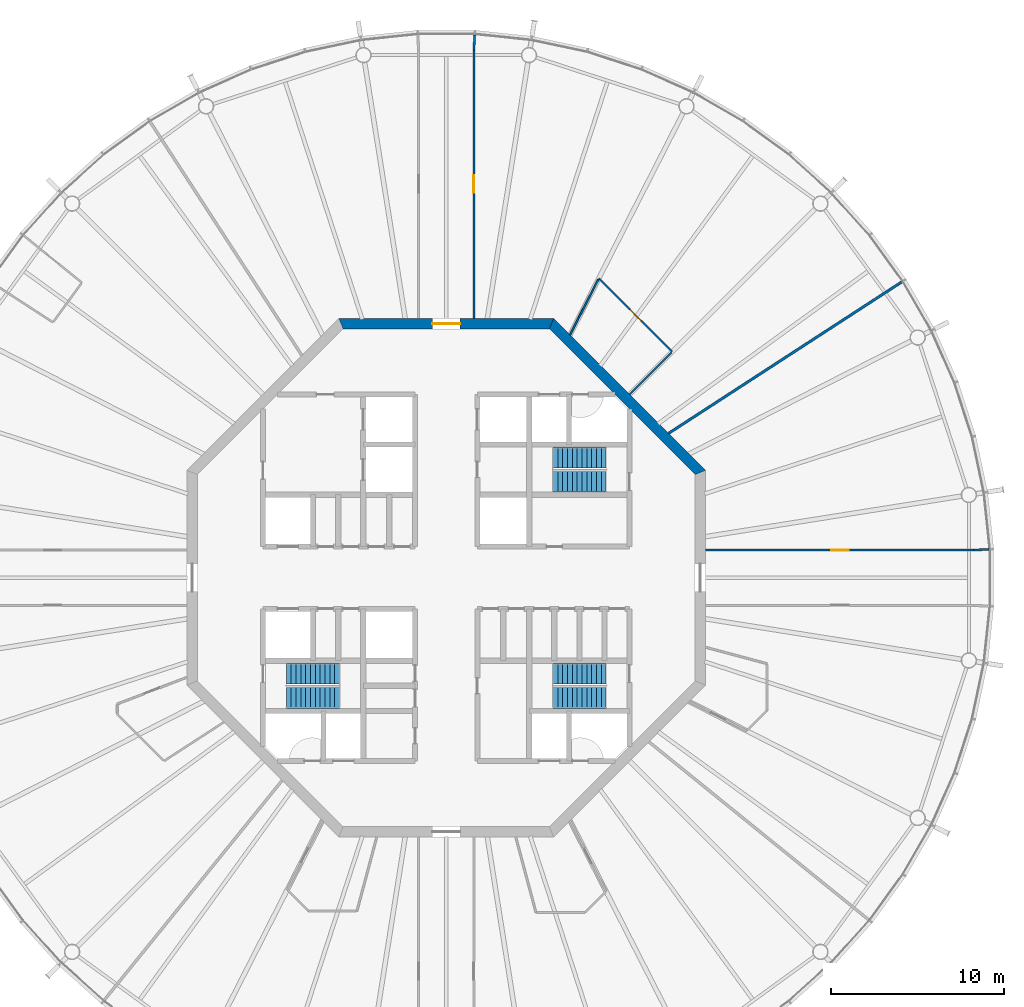
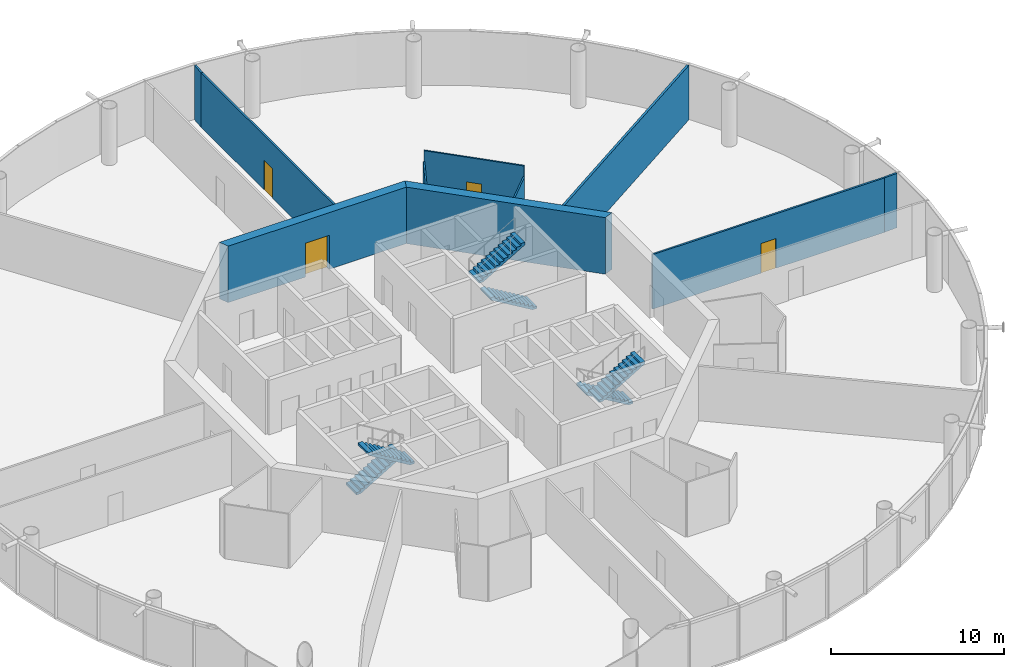
# One storey, part 6 of 19: 10 walls, 6 stair flights, 4 doors, 4 openings, 3 elements without a shape of their own.
"""IFC4 building model written with IfcOpenShell, lengths in metres."""

import ifcopenshell
import ifcopenshell.guid

model = None  # the IFC model being written
_history = None  # IfcOwnerHistory: only IFC2X3 demands one
_inside = {}  # id of a spatial element -> (the spatial element, [elements in it])
_under = {}  # id of a project, library or spatial element -> (it, [spatial elements below it])
_declared = {}  # id of a project -> (the project, [libraries it declares])
_typed = {}  # id of a type object -> (the type object, [elements of that type])
_made_of = {}  # id of a material, layer set ... -> (it, [elements and type objects made of it])


def new_model(schema):
    """Start an empty IFC model of exactly this schema.

    Asked for "IFC4X3", IfcOpenShell would pick the latest addendum, in which some entities
    have other attributes; the version numbers below select the first issue.
    IFC2X3 requires an IfcOwnerHistory on every rooted entity: one is made here for all.
    """
    global model, _history
    if schema == "IFC4X3":
        model = ifcopenshell.file(schema_version=(4, 3, 0, 0))
    else:
        model = ifcopenshell.file(schema=schema)
    _inside.clear()
    _under.clear()
    _declared.clear()
    _typed.clear()
    _made_of.clear()
    _history = None
    if model.schema == "IFC2X3":
        org = make("IfcOrganization", Name="unknown")
        user = make(
            "IfcPersonAndOrganization",
            ThePerson=make("IfcPerson", FamilyName="unknown"),
            TheOrganization=org,
        )
        app = make(
            "IfcApplication",
            ApplicationDeveloper=org,
            Version="unknown",
            ApplicationFullName="unknown",
            ApplicationIdentifier="unknown",
        )
        _history = make(
            "IfcOwnerHistory",
            OwningUser=user,
            OwningApplication=app,
            ChangeAction="ADDED",
            CreationDate=0,
        )
    return model


def make(cls, **values):
    """One entity of the class cls with the attributes given. An attribute that is None is left unset."""
    return model.create_entity(
        cls, **{name: value for name, value in values.items() if value is not None}
    )


def rooted(cls, **values):
    """An entity with a GlobalId (a new one), such as an element, a storey or a relation."""
    return make(cls, GlobalId=ifcopenshell.guid.new(), OwnerHistory=_history, **values)


def si_unit(unit_type, name, prefix=None):
    """IfcSIUnit, for example si_unit("LENGTHUNIT", "METRE", prefix="MILLI")."""
    return make("IfcSIUnit", UnitType=unit_type, Prefix=prefix, Name=name)


def assignment(units):
    """IfcUnitAssignment: the units of a project."""
    return None if units is None else make("IfcUnitAssignment", Units=units)


def point(xyz):
    """IfcCartesianPoint."""
    return None if xyz is None else make("IfcCartesianPoint", Coordinates=xyz)


def direction(xyz):
    """IfcDirection."""
    return None if xyz is None else make("IfcDirection", DirectionRatios=xyz)


def frame(location, z_axis=None, x_axis=None):
    """IfcAxis2Placement3D, a coordinate frame: its origin and axes. An axis left out is left unset."""
    return make(
        "IfcAxis2Placement3D",
        Location=point(location),
        Axis=direction(z_axis),
        RefDirection=direction(x_axis),
    )


def frame_2d(location, x_axis=None):
    """IfcAxis2Placement2D, a coordinate frame in the plane: its origin and x axis."""
    return make(
        "IfcAxis2Placement2D", Location=point(location), RefDirection=direction(x_axis)
    )


def origin():
    """The frame at (0, 0, 0) with its axes left unset."""
    return frame((0.0, 0.0, 0.0))


def place(relative_to, where):
    """IfcLocalPlacement: puts the frame where relative to a parent placement (None: the world)."""
    return make(
        "IfcLocalPlacement", PlacementRelTo=relative_to, RelativePlacement=where
    )


def context(
    kind, dimensions, precision=None, world=None, true_north=None, identifier=None
):
    """IfcGeometricRepresentationContext, for example the 3D "Model" context."""
    return make(
        "IfcGeometricRepresentationContext",
        ContextIdentifier=identifier,
        ContextType=kind,
        CoordinateSpaceDimension=dimensions,
        Precision=precision,
        WorldCoordinateSystem=world,
        TrueNorth=true_north,
    )


def subcontext(parent, identifier, kind, view, scale=None):
    """IfcGeometricRepresentationSubContext, for example "Body" below "Model"."""
    return make(
        "IfcGeometricRepresentationSubContext",
        ContextIdentifier=identifier,
        ContextType=kind,
        ParentContext=parent,
        TargetScale=scale,
        TargetView=view,
    )


def project(units=None, contexts=None):
    """IfcProject with its units and contexts."""
    return rooted(
        "IfcProject",
        Name="project",
        RepresentationContexts=contexts,
        UnitsInContext=assignment(units),
    )


def spatial(cls, under=None, at=None, **own):
    """A site, building, storey or space (cls), placed at a placement, below another one or the project."""
    s = rooted(cls, ObjectPlacement=at, **own)
    if under is not None:
        _under.setdefault(under.id(), (under, []))[1].append(s)
    return s


def polyline(points):
    """IfcPolyline through the points."""
    return make("IfcPolyline", Points=[point(p) for p in points])


def profile(cls, at=None, kind="AREA", **sizes):
    """A parametric profile (cls). Its sizes go by their IFC names, for example OverallWidth=200.0."""
    return make(cls, ProfileType=kind, Position=at, **sizes)


def rectangle(**sizes):
    """IfcRectangleProfileDef."""
    return profile("IfcRectangleProfileDef", **sizes)


def outline(outer, holes=None, kind="AREA"):
    """IfcArbitraryClosedProfileDef: a profile drawn as a closed curve; with holes, ...WithVoids."""
    if holes is None:
        return make("IfcArbitraryClosedProfileDef", ProfileType=kind, OuterCurve=outer)
    return make(
        "IfcArbitraryProfileDefWithVoids",
        ProfileType=kind,
        OuterCurve=outer,
        InnerCurves=holes,
    )


def extrude(swept, where, along, depth):
    """IfcExtrudedAreaSolid: the profile swept, set in the frame where, extruded along a direction by depth."""
    return make(
        "IfcExtrudedAreaSolid",
        SweptArea=swept,
        Position=where,
        ExtrudedDirection=direction(along),
        Depth=depth,
    )


def shape(context_of_items, identifier, shape_type, items):
    """IfcShapeRepresentation: the items that make up one representation, for example the "Body"."""
    return make(
        "IfcShapeRepresentation",
        ContextOfItems=context_of_items,
        RepresentationIdentifier=identifier,
        RepresentationType=shape_type,
        Items=items,
    )


def material(Name=None, Category=None):
    """IfcMaterial."""
    return make("IfcMaterial", Name=Name, Category=Category)


def layer(
    of_material, thickness, ventilated=None, Name=None, Category=None, Priority=None
):
    """IfcMaterialLayer: one layer of a wall or slab, of a material (None: an air gap)."""
    return make(
        "IfcMaterialLayer",
        Material=of_material,
        LayerThickness=thickness,
        IsVentilated=ventilated,
        Name=Name,
        Category=Category,
        Priority=Priority,
    )


def layer_set(layers, Name=None):
    """IfcMaterialLayerSet."""
    return make("IfcMaterialLayerSet", MaterialLayers=layers, LayerSetName=Name)


def made_of(thing, what):
    """Note that an element or type object is made of a material, layer set ...; save() writes the relation."""
    if what is not None:
        _made_of.setdefault(what.id(), (what, []))[1].append(thing)
    return thing


def type_object(cls, material=None, **own):
    """A type object (cls), such as IfcWallType, which elements share."""
    return made_of(rooted(cls, **own), material)


def element(
    cls,
    number,
    at=None,
    inside=None,
    cuts=None,
    type_object=None,
    material=None,
    context=None,
    identifier="Body",
    shape_type=None,
    held_by="IfcProductDefinitionShape",
    body=None,
    shapes=None,
    **own,
):
    """One element of the class cls, such as IfcWall. Its Tag is "e" and its number.

    at: its placement. inside: the storey or other place that contains it. cuts: it is an
    opening in that element (IfcRelVoidsElement). A single representation is given by context,
    identifier, shape_type and body (its items); several are given by shapes. held_by: the class
    of the entity that holds the representations. save() writes the other relations.
    """
    e = rooted(cls, Tag="e%d" % number, ObjectPlacement=at, **own)
    if body is not None:
        shapes = [shape(context, identifier, shape_type, body)]
    if shapes is not None:
        e.Representation = make(held_by, Representations=shapes)
    if inside is not None:
        _inside.setdefault(inside.id(), (inside, []))[1].append(e)
    if cuts is not None:
        rooted(
            "IfcRelVoidsElement", RelatingBuildingElement=cuts, RelatedOpeningElement=e
        )
    if type_object is not None:
        _typed.setdefault(type_object.id(), (type_object, []))[1].append(e)
    return made_of(e, material)


def fill(opening, filler):
    """IfcRelFillsElement: the door or window that sits in an opening."""
    return rooted(
        "IfcRelFillsElement",
        RelatingOpeningElement=opening,
        RelatedBuildingElement=filler,
    )


def aggregate(whole, parts):
    """IfcRelAggregates: a whole, such as a stair, and the parts it consists of."""
    return rooted("IfcRelAggregates", RelatingObject=whole, RelatedObjects=parts)


def save(model, path):
    """Write the relations noted so far, then the file.

    IfcRelAggregates (storeys below a building ...), IfcRelContainedInSpatialStructure (elements
    in a storey), IfcRelDefinesByType, IfcRelAssociatesMaterial and IfcRelDeclares: one each for
    every whole, place, type object, material and project.
    """
    for whole, parts in _under.values():
        aggregate(whole, parts)
    for where, things in _inside.values():
        rooted(
            "IfcRelContainedInSpatialStructure",
            RelatedElements=things,
            RelatingStructure=where,
        )
    for kind, things in _typed.values():
        rooted("IfcRelDefinesByType", RelatedObjects=things, RelatingType=kind)
    for what, things in _made_of.values():
        rooted("IfcRelAssociatesMaterial", RelatedObjects=things, RelatingMaterial=what)
    for by, libraries in _declared.values():
        rooted("IfcRelDeclares", RelatingContext=by, RelatedDefinitions=libraries)
    model.write(path)


model = new_model("IFC4")

# Units and contexts
model_context = context("Model", 3, precision=1e-05, world=origin(), true_north=direction((0.0, 1.0)))
body_context = subcontext(model_context, "Body", "Model", "MODEL_VIEW")
ifc_project = project(units=[si_unit("LENGTHUNIT", "METRE"), si_unit("AREAUNIT", "SQUARE_METRE"), si_unit("VOLUMEUNIT", "CUBIC_METRE"), si_unit("PLANEANGLEUNIT", "RADIAN"), si_unit("MASSUNIT", "GRAM", prefix="KILO")], contexts=[model_context])

# Site, building, storey
site_placement = place(None, origin())
site = spatial("IfcSite", under=ifc_project, at=site_placement, CompositionType="ELEMENT")
building_placement = place(site_placement, origin())
building = spatial("IfcBuilding", under=site, at=building_placement, Name="Entoto Ring Tower", CompositionType="ELEMENT")
storey_placement = place(building_placement, frame((0.0, 0.0, 368.0)))
storey = spatial("IfcBuildingStorey", under=building, at=storey_placement, Name="L85", CompositionType="ELEMENT", Elevation=368.0)

# Wall
ifc_material_1 = material(Name="Concrete C40/50", Category="concrete")
ifc_layer_1 = layer(ifc_material_1, 0.60009765625)
ifc_layer_set_1 = layer_set([ifc_layer_1], Name="Concrete C40/50")
wall_type_1 = type_object("IfcWallType", Name="Core shear wall 600 mm reinforced concrete C40/50", PredefinedType="SHEAR", material=ifc_layer_set_1)
wall_1_placement = place(storey_placement, frame((104.699951171875, 86.0888671875, 0.0), z_axis=(0.0, 0.0, 1.0), x_axis=(-0.707106781187, 0.707106781187, 0.0)))
element("IfcWall", 1, at=wall_1_placement, inside=storey, type_object=wall_type_1, Name="wall-L85-core-1", PredefinedType="SHEAR", context=body_context, shape_type="SweptSolid", body=[
    extrude(outline(polyline([(-0.124267578125, -0.300048828125), (12.30224609375, -0.300048828125), (12.0537109375, 0.300048828125), (0.124267578125, 0.300048828125), (-0.124267578125, -0.300048828125)])), origin(), (0.0, 0.0, 1.0), 4.0),
])

# Wall, opening, door
wall_2_placement = place(storey_placement, frame((96.0888671875, 94.699951171875, 0.0), z_axis=(0.0, 0.0, 1.0), x_axis=(-1.0, 0.0, 0.0)))
wall_2 = element("IfcWall", 2, at=wall_2_placement, inside=storey, type_object=wall_type_1, Name="wall-L85-core-2", PredefinedType="SHEAR", context=body_context, shape_type="SweptSolid", body=[
    extrude(outline(polyline([(-0.124267578125, -0.300048828125), (12.302001953125, -0.300048828125), (12.053466796875, 0.300048828125), (0.124267578125, 0.300048828125), (-0.124267578125, -0.300048828125)])), origin(), (0.0, 0.0, 1.0), 4.0),
])
opening_1_placement = place(wall_2_placement, frame((5.288818359375, 0.0, 0.0)))
opening_1 = element("IfcOpeningElement", 3, at=opening_1_placement, cuts=wall_2, Name="Opening K-02", PredefinedType="OPENING", context=body_context, shape_type="SweptSolid", body=[
    extrude(rectangle(XDim=1.60009765625, YDim=2.39990234375, at=frame_2d((0.800048828125, 1.199951171875))), frame((0.0, 0.31005859375, 0.0), z_axis=(0.0, -1.0, 0.0), x_axis=(1.0, 0.0, 0.0)), (0.0, 0.0, 1.0), 0.6201171875),
])
ifc_material_2 = material(Name="Steel door leaf, fire rated", Category="steel")
ifc_layer_2 = layer(ifc_material_2, 0.050048828125)
ifc_layer_set_2 = layer_set([ifc_layer_2], Name="Steel door leaf, fire rated")
door_type_1 = type_object("IfcDoorType", Name="Entrance door FD60 1600 x 2400 double leaf", OperationType="DOUBLE_DOOR_SINGLE_SWING", PredefinedType="DOOR", material=ifc_layer_set_2)
door_1_placement = place(opening_1_placement, origin())
door_1 = element("IfcDoor", 4, at=door_1_placement, inside=storey, type_object=door_type_1, Name="Entrance door K-02", OperationType="DOUBLE_DOOR_SINGLE_SWING", OverallHeight=2.39990234375, OverallWidth=1.60009765625, PredefinedType="DOOR", context=body_context, shape_type="SweptSolid", body=[
    extrude(rectangle(XDim=1.60009765625, YDim=2.39990234375, at=frame_2d((0.800048828125, 1.199951171875))), frame((0.0, 0.02490234375, 0.0), z_axis=(0.0, -1.0, 0.0), x_axis=(1.0, 0.0, 0.0)), (0.0, 0.0, 1.0), 0.050048828125),
])
fill(opening_1, door_1)

ifc_material_3 = material(Name="Fire-resisting plasterboard on steel studs", Category="steel")
ifc_layer_3 = layer(ifc_material_3, 0.125)
ifc_layer_set_3 = layer_set([ifc_layer_3], Name="Fire-resisting plasterboard on steel studs")
wall_type_2 = type_object("IfcWallType", Name="Corridor wall 125 mm one-hour plasterboard on steel studs", PredefinedType="PARTITIONING", material=ifc_layer_set_3)
wall_3_placement = place(storey_placement, frame((91.60009765625, 95.0, 0.0), z_axis=(0.0, 0.0, 1.0), x_axis=(0.0, 1.0, 0.0)))
wall_3 = element("IfcWall", 5, at=wall_3_placement, inside=storey, type_object=wall_type_2, Name="partition-L85-006", PredefinedType="PARTITIONING", context=body_context, shape_type="SweptSolid", body=[
    extrude(rectangle(XDim=15.52978515625, YDim=0.125, at=frame_2d((7.764892578125, 0.0))), origin(), (0.0, 0.0, 1.0), 3.85009765625),
])
opening_2_placement = place(wall_3_placement, frame((7.264892578125, 0.0, 0.0)))
opening_2 = element("IfcOpeningElement", 6, at=opening_2_placement, cuts=wall_3, Name="Opening A36-D02", PredefinedType="OPENING", context=body_context, shape_type="SweptSolid", body=[
    extrude(rectangle(XDim=1.0, YDim=2.10009765625, at=frame_2d((0.5, 1.050048828125))), frame((0.0, 0.072509765625, 0.0), z_axis=(0.0, -1.0, 0.0), x_axis=(1.0, 0.0, 0.0)), (0.0, 0.0, 1.0), 0.14501953125),
])
ifc_material_4 = material(Name="Fire-resisting timber door set", Category="wood")
door_type_2 = type_object("IfcDoorType", Name="Door 1000 x 2100 single leaf FD30S fire door", OperationType="NOTDEFINED", PredefinedType="DOOR", material=ifc_material_4)
door_2_placement = place(opening_2_placement, frame((1.0, 0.0, 0.0), z_axis=(0.0, 0.0, 1.0), x_axis=(-1.0, 0.0, 0.0)))
door_2 = element("IfcDoor", 7, at=door_2_placement, inside=storey, type_object=door_type_2, Name="Door A36-D02", OperationType="SINGLE_SWING_RIGHT", OverallHeight=2.10009765625, OverallWidth=1.0, PredefinedType="DOOR", context=body_context, shape_type="SweptSolid", body=[
    extrude(rectangle(XDim=1.0, YDim=2.10009765625, at=frame_2d((0.5, 1.050048828125))), frame((0.0, 0.02490234375, 0.0), z_axis=(0.0, -1.0, 0.0), x_axis=(1.0, 0.0, 0.0)), (0.0, 0.0, 1.0), 0.050048828125),
])
fill(opening_2, door_2)

wall_4_placement = place(storey_placement, frame((105.0, 81.60009765625, 0.0), z_axis=(0.0, 0.0, 1.0), x_axis=(1.0, 0.0, 0.0)))
wall_4 = element("IfcWall", 8, at=wall_4_placement, inside=storey, type_object=wall_type_2, Name="partition-L85-008", PredefinedType="PARTITIONING", context=body_context, shape_type="SweptSolid", body=[
    extrude(rectangle(XDim=15.52978515625, YDim=0.125, at=frame_2d((7.764892578125, 0.0))), origin(), (0.0, 0.0, 1.0), 3.85009765625),
])
opening_3_placement = place(wall_4_placement, frame((7.264892578125, 0.0, 0.0)))
opening_3 = element("IfcOpeningElement", 9, at=opening_3_placement, cuts=wall_4, Name="Opening A36-D01", PredefinedType="OPENING", context=body_context, shape_type="SweptSolid", body=[
    extrude(rectangle(XDim=1.0, YDim=2.10009765625, at=frame_2d((0.5, 1.050048828125))), frame((0.0, 0.072509765625, 0.0), z_axis=(0.0, -1.0, 0.0), x_axis=(1.0, 0.0, 0.0)), (0.0, 0.0, 1.0), 0.14501953125),
])
door_3_placement = place(opening_3_placement, origin())
door_3 = element("IfcDoor", 10, at=door_3_placement, inside=storey, type_object=door_type_2, Name="Door A36-D01", OperationType="SINGLE_SWING_LEFT", OverallHeight=2.10009765625, OverallWidth=1.0, PredefinedType="DOOR", context=body_context, shape_type="SweptSolid", body=[
    extrude(rectangle(XDim=1.0, YDim=2.10009765625, at=frame_2d((0.5, 1.050048828125))), frame((0.0, 0.02490234375, 0.0), z_axis=(0.0, -1.0, 0.0), x_axis=(1.0, 0.0, 0.0)), (0.0, 0.0, 1.0), 0.050048828125),
])
fill(opening_3, door_3)

# Walls
for number, where, z_axis, x_axis, name in (
    (11, (91.60009765625, 110.533203125, 0.0), (0.0, 0.0, 1.0), (0.052499574911, 0.998620946423, 0.0), "partition-L85-013"),
    (12, (120.533203125, 81.60009765625, 0.0), (0.0, 0.0, 1.0), (0.998620946423, 0.052499574911, 0.0), "partition-L85-015"),
):
    element("IfcWall", number, at=place(storey_placement, frame(where, z_axis=z_axis, x_axis=x_axis)), inside=storey, type_object=wall_type_2, Name=name, PredefinedType="PARTITIONING", context=body_context, shape_type="SweptSolid", body=[
        extrude(rectangle(XDim=0.864990234375, YDim=0.125, at=frame_2d((0.4326171875, 0.0))), origin(), (0.0, 0.0, 1.0), 3.85009765625),
    ])

# Wall, opening, door
ifc_material_5 = material(Name="Plasterboard on steel studs", Category="steel")
ifc_layer_4 = layer(ifc_material_5, 0.10009765625)
ifc_layer_set_4 = layer_set([ifc_layer_4], Name="Plasterboard on steel studs")
wall_type_3 = type_object("IfcWallType", Name="Partition 100 mm plasterboard on steel studs", PredefinedType="PARTITIONING", material=ifc_layer_set_4)
wall_5_placement = place(storey_placement, frame((103.0673828125, 93.0673828125, 0.0), z_axis=(0.0, 0.0, 1.0), x_axis=(-0.707106781187, 0.707106781187, 0.0)))
wall_5 = element("IfcWall", 13, at=wall_5_placement, inside=storey, type_object=wall_type_3, Name="partition-L85-021", PredefinedType="PARTITIONING", context=body_context, shape_type="SweptSolid", body=[
    extrude(rectangle(XDim=6.004638671875, YDim=0.10009765625, at=frame_2d((3.00244140625, 0.0))), origin(), (0.0, 0.0, 1.0), 3.85009765625),
])
opening_4_placement = place(wall_5_placement, frame((2.55224609375, 0.0, 0.0)))
opening_4 = element("IfcOpeningElement", 14, at=opening_4_placement, cuts=wall_5, Name="Opening A36-D03", PredefinedType="OPENING", context=body_context, shape_type="SweptSolid", body=[
    extrude(rectangle(XDim=0.89990234375, YDim=2.10009765625, at=frame_2d((0.449951171875, 1.050048828125))), frame((0.0, 0.06005859375, 0.0), z_axis=(0.0, -1.0, 0.0), x_axis=(1.0, 0.0, 0.0)), (0.0, 0.0, 1.0), 0.1201171875),
])
ifc_material_6 = material(Name="Veneered timber door leaf in timber frame", Category="wood")
door_type_3 = type_object("IfcDoorType", Name="Door 900 x 2100 single leaf timber veneer", OperationType="NOTDEFINED", PredefinedType="DOOR", material=ifc_material_6)
door_4_placement = place(opening_4_placement, origin())
door_4 = element("IfcDoor", 15, at=door_4_placement, inside=storey, type_object=door_type_3, Name="Door A36-D03", OperationType="SINGLE_SWING_RIGHT", OverallHeight=2.10009765625, OverallWidth=0.89990234375, PredefinedType="DOOR", context=body_context, shape_type="SweptSolid", body=[
    extrude(rectangle(XDim=0.89990234375, YDim=2.10009765625, at=frame_2d((0.449951171875, 1.050048828125))), frame((0.0, 0.02490234375, 0.0), z_axis=(0.0, -1.0, 0.0), x_axis=(1.0, 0.0, 0.0)), (0.0, 0.0, 1.0), 0.050048828125),
])
fill(opening_4, door_4)

# Walls
ifc_material_7 = material(Name="Plasterboard on steel studs", Category="steel")
ifc_layer_5 = layer(ifc_material_7, 0.10009765625)
ifc_layer_set_5 = layer_set([ifc_layer_5], Name="Plasterboard on steel studs")
wall_type_4 = type_object("IfcWallType", Name="Partition 100 mm plasterboard on steel studs, 3097 mm high", PredefinedType="PARTITIONING", material=ifc_layer_set_5)
wall_6_placement = place(storey_placement, frame((97.160400390625, 94.052978515625, 0.0), z_axis=(0.0, 0.0, 1.0), x_axis=(0.453973658127, 0.891015105218, 0.0)))
element("IfcWall", 16, at=wall_6_placement, inside=storey, type_object=wall_type_4, Name="partition-L85-033", PredefinedType="PARTITIONING", context=body_context, shape_type="SweptSolid", body=[
    extrude(rectangle(XDim=3.59033203125, YDim=0.10009765625, at=frame_2d((1.795166015625, 0.0))), origin(), (0.0, 0.0, 1.0), 3.096923828125),
])
wall_7_placement = place(storey_placement, frame((100.606689453125, 90.606689453125, 0.0), z_axis=(0.0, 0.0, 1.0), x_axis=(0.707106781187, 0.707106781187, 0.0)))
element("IfcWall", 17, at=wall_7_placement, inside=storey, type_object=wall_type_4, Name="partition-L85-034", PredefinedType="PARTITIONING", context=body_context, shape_type="SweptSolid", body=[
    extrude(rectangle(XDim=3.429931640625, YDim=0.10009765625, at=frame_2d((1.71484375, 0.0))), origin(), (0.0, 0.0, 1.0), 3.096923828125),
])
ifc_material_8 = material(Name="Fire-resisting acoustic plasterboard on steel studs", Category="steel")
ifc_layer_6 = layer(ifc_material_8, 0.14990234375)
ifc_layer_set_6 = layer_set([ifc_layer_6], Name="Fire-resisting acoustic plasterboard on steel studs")
wall_type_5 = type_object("IfcWallType", Name="Party wall 150 mm one-hour acoustic plasterboard on steel studs", PredefinedType="PARTITIONING", material=ifc_layer_set_6)
wall_8_placement = place(storey_placement, frame((102.861083984375, 88.35205078125, 0.0), z_axis=(0.0, 0.0, 1.0), x_axis=(0.838669360937, 0.54464089364, 0.0)))
element("IfcWall", 18, at=wall_8_placement, inside=storey, type_object=wall_type_5, Name="partition-L85-020", PredefinedType="PARTITIONING", context=body_context, shape_type="SweptSolid", body=[
    extrude(rectangle(XDim=16.10498046875, YDim=0.14990234375, at=frame_2d((8.052490234375, 0.0))), origin(), (0.0, 0.0, 1.0), 3.85009765625),
])

# Stair, stair flights
ifc_material_9 = material(Name="Concrete C40/50", Category="concrete")
stair_type = type_object("IfcStairType", Name="Exit stair 1200 mm dog-leg reinforced concrete", PredefinedType="HALF_TURN_STAIR", material=ifc_material_9)
stair_1_placement = place(storey_placement, origin())
stair_1 = element("IfcStair", 19, at=stair_1_placement, inside=storey, type_object=stair_type, Name="Exit stair 1", PredefinedType="HALF_TURN_STAIR")
ifc_material_10 = material(Name="Concrete C40/50", Category="concrete")
stair_flight_type = type_object("IfcStairFlightType", Name="Stair flight 1200 mm reinforced concrete", PredefinedType="STRAIGHT", material=ifc_material_10)
stair_flight_1_placement = place(storey_placement, frame((99.25, 85.550048828125, 0.0), z_axis=(0.0, 0.0, 1.0), x_axis=(-1.0, 0.0, 0.0)))
stair_flight_1 = element("IfcStairFlight", 20, at=stair_flight_1_placement, type_object=stair_flight_type, Name="ST1 flight 1", NumberOfRisers=12, NumberOfTreads=11, PredefinedType="STRAIGHT", RiserHeight=0.166666667, TreadLength=0.28, context=body_context, shape_type="SweptSolid", body=[
    extrude(outline(polyline([(0.0, 0.0), (0.0, 0.166748046875), (0.280029296875, 0.166748046875), (0.280029296875, 0.333251953125), (0.56005859375, 0.333251953125), (0.56005859375, 0.5), (0.840087890625, 0.5), (0.840087890625, 0.666748046875), (1.1201171875, 0.666748046875), (1.1201171875, 0.833251953125), (1.39990234375, 0.833251953125), (1.39990234375, 1.0), (1.679931640625, 1.0), (1.679931640625, 1.166748046875), (1.9599609375, 1.166748046875), (1.9599609375, 1.333251953125), (2.239990234375, 1.333251953125), (2.239990234375, 1.5), (2.52001953125, 1.5), (2.52001953125, 1.666748046875), (2.800048828125, 1.666748046875), (2.800048828125, 1.833251953125), (3.080078125, 1.833251953125), (3.080078125, 2.0), (3.080078125, 1.658935546875), (0.29296875, 0.0), (0.0, 0.0)])), frame((0.0, 0.60009765625, 0.0), z_axis=(0.0, -1.0, 0.0), x_axis=(1.0, 0.0, 0.0)), (0.0, 0.0, 1.0), 1.199951171875),
])
stair_flight_2_placement = place(storey_placement, frame((96.169921875, 86.949951171875, 2.0), z_axis=(0.0, 0.0, 1.0), x_axis=(1.0, 0.0, 0.0)))
stair_flight_2 = element("IfcStairFlight", 21, at=stair_flight_2_placement, type_object=stair_flight_type, Name="ST1 flight 2", NumberOfRisers=12, NumberOfTreads=11, PredefinedType="STRAIGHT", RiserHeight=0.166666667, TreadLength=0.28, context=body_context, shape_type="SweptSolid", body=[
    extrude(outline(polyline([(0.0, 0.0), (0.0, 0.166748046875), (0.280029296875, 0.166748046875), (0.280029296875, 0.333251953125), (0.56005859375, 0.333251953125), (0.56005859375, 0.5), (0.840087890625, 0.5), (0.840087890625, 0.666748046875), (1.1201171875, 0.666748046875), (1.1201171875, 0.833251953125), (1.39990234375, 0.833251953125), (1.39990234375, 1.0), (1.679931640625, 1.0), (1.679931640625, 1.166748046875), (1.9599609375, 1.166748046875), (1.9599609375, 1.333251953125), (2.239990234375, 1.333251953125), (2.239990234375, 1.5), (2.52001953125, 1.5), (2.52001953125, 1.666748046875), (2.800048828125, 1.666748046875), (2.800048828125, 1.833251953125), (3.080078125, 1.833251953125), (3.080078125, 2.0), (3.080078125, 1.658935546875), (0.29296875, 0.0), (0.0, 0.0)])), frame((0.0, 0.60009765625, 0.0), z_axis=(0.0, -1.0, 0.0), x_axis=(1.0, 0.0, 0.0)), (0.0, 0.0, 1.0), 1.199951171875),
])
aggregate(stair_1, [stair_flight_1, stair_flight_2])

stair_2_placement = place(storey_placement, origin())
stair_2 = element("IfcStair", 22, at=stair_2_placement, inside=storey, type_object=stair_type, Name="Exit stair 2", PredefinedType="HALF_TURN_STAIR")
stair_flight_3_placement = place(storey_placement, frame((80.75, 74.449951171875, 0.0), z_axis=(0.0, 0.0, 1.0), x_axis=(1.0, 0.0, 0.0)))
stair_flight_3 = element("IfcStairFlight", 23, at=stair_flight_3_placement, type_object=stair_flight_type, Name="ST2 flight 1", NumberOfRisers=12, NumberOfTreads=11, PredefinedType="STRAIGHT", RiserHeight=0.166666667, TreadLength=0.28, context=body_context, shape_type="SweptSolid", body=[
    extrude(outline(polyline([(0.0, 0.0), (0.0, 0.166748046875), (0.280029296875, 0.166748046875), (0.280029296875, 0.333251953125), (0.56005859375, 0.333251953125), (0.56005859375, 0.5), (0.840087890625, 0.5), (0.840087890625, 0.666748046875), (1.1201171875, 0.666748046875), (1.1201171875, 0.833251953125), (1.39990234375, 0.833251953125), (1.39990234375, 1.0), (1.679931640625, 1.0), (1.679931640625, 1.166748046875), (1.9599609375, 1.166748046875), (1.9599609375, 1.333251953125), (2.239990234375, 1.333251953125), (2.239990234375, 1.5), (2.52001953125, 1.5), (2.52001953125, 1.666748046875), (2.800048828125, 1.666748046875), (2.800048828125, 1.833251953125), (3.080078125, 1.833251953125), (3.080078125, 2.0), (3.080078125, 1.658935546875), (0.29296875, 0.0), (0.0, 0.0)])), frame((0.0, 0.60009765625, 0.0), z_axis=(0.0, -1.0, 0.0), x_axis=(1.0, 0.0, 0.0)), (0.0, 0.0, 1.0), 1.199951171875),
])
stair_flight_4_placement = place(storey_placement, frame((83.830078125, 73.050048828125, 2.0), z_axis=(0.0, 0.0, 1.0), x_axis=(-1.0, 0.0, 0.0)))
stair_flight_4 = element("IfcStairFlight", 24, at=stair_flight_4_placement, type_object=stair_flight_type, Name="ST2 flight 2", NumberOfRisers=12, NumberOfTreads=11, PredefinedType="STRAIGHT", RiserHeight=0.166666667, TreadLength=0.28, context=body_context, shape_type="SweptSolid", body=[
    extrude(outline(polyline([(0.0, 0.0), (0.0, 0.166748046875), (0.280029296875, 0.166748046875), (0.280029296875, 0.333251953125), (0.56005859375, 0.333251953125), (0.56005859375, 0.5), (0.840087890625, 0.5), (0.840087890625, 0.666748046875), (1.1201171875, 0.666748046875), (1.1201171875, 0.833251953125), (1.39990234375, 0.833251953125), (1.39990234375, 1.0), (1.679931640625, 1.0), (1.679931640625, 1.166748046875), (1.9599609375, 1.166748046875), (1.9599609375, 1.333251953125), (2.239990234375, 1.333251953125), (2.239990234375, 1.5), (2.52001953125, 1.5), (2.52001953125, 1.666748046875), (2.800048828125, 1.666748046875), (2.800048828125, 1.833251953125), (3.080078125, 1.833251953125), (3.080078125, 2.0), (3.080078125, 1.658935546875), (0.29296875, 0.0), (0.0, 0.0)])), frame((0.0, 0.60009765625, 0.0), z_axis=(0.0, -1.0, 0.0), x_axis=(1.0, 0.0, 0.0)), (0.0, 0.0, 1.0), 1.199951171875),
])
aggregate(stair_2, [stair_flight_3, stair_flight_4])

stair_3_placement = place(storey_placement, origin())
stair_3 = element("IfcStair", 25, at=stair_3_placement, inside=storey, type_object=stair_type, Name="Exit stair 3", PredefinedType="HALF_TURN_STAIR")
stair_flight_5_placement = place(storey_placement, frame((99.25, 74.449951171875, 0.0), z_axis=(0.0, 0.0, 1.0), x_axis=(-1.0, 0.0, 0.0)))
stair_flight_5 = element("IfcStairFlight", 26, at=stair_flight_5_placement, type_object=stair_flight_type, Name="ST3 flight 1", NumberOfRisers=12, NumberOfTreads=11, PredefinedType="STRAIGHT", RiserHeight=0.166666667, TreadLength=0.28, context=body_context, shape_type="SweptSolid", body=[
    extrude(outline(polyline([(0.0, 0.0), (0.0, 0.166748046875), (0.280029296875, 0.166748046875), (0.280029296875, 0.333251953125), (0.56005859375, 0.333251953125), (0.56005859375, 0.5), (0.840087890625, 0.5), (0.840087890625, 0.666748046875), (1.1201171875, 0.666748046875), (1.1201171875, 0.833251953125), (1.39990234375, 0.833251953125), (1.39990234375, 1.0), (1.679931640625, 1.0), (1.679931640625, 1.166748046875), (1.9599609375, 1.166748046875), (1.9599609375, 1.333251953125), (2.239990234375, 1.333251953125), (2.239990234375, 1.5), (2.52001953125, 1.5), (2.52001953125, 1.666748046875), (2.800048828125, 1.666748046875), (2.800048828125, 1.833251953125), (3.080078125, 1.833251953125), (3.080078125, 2.0), (3.080078125, 1.658935546875), (0.29296875, 0.0), (0.0, 0.0)])), frame((0.0, 0.60009765625, 0.0), z_axis=(0.0, -1.0, 0.0), x_axis=(1.0, 0.0, 0.0)), (0.0, 0.0, 1.0), 1.199951171875),
])
stair_flight_6_placement = place(storey_placement, frame((96.169921875, 73.050048828125, 2.0), z_axis=(0.0, 0.0, 1.0), x_axis=(1.0, 0.0, 0.0)))
stair_flight_6 = element("IfcStairFlight", 27, at=stair_flight_6_placement, type_object=stair_flight_type, Name="ST3 flight 2", NumberOfRisers=12, NumberOfTreads=11, PredefinedType="STRAIGHT", RiserHeight=0.166666667, TreadLength=0.28, context=body_context, shape_type="SweptSolid", body=[
    extrude(outline(polyline([(0.0, 0.0), (0.0, 0.166748046875), (0.280029296875, 0.166748046875), (0.280029296875, 0.333251953125), (0.56005859375, 0.333251953125), (0.56005859375, 0.5), (0.840087890625, 0.5), (0.840087890625, 0.666748046875), (1.1201171875, 0.666748046875), (1.1201171875, 0.833251953125), (1.39990234375, 0.833251953125), (1.39990234375, 1.0), (1.679931640625, 1.0), (1.679931640625, 1.166748046875), (1.9599609375, 1.166748046875), (1.9599609375, 1.333251953125), (2.239990234375, 1.333251953125), (2.239990234375, 1.5), (2.52001953125, 1.5), (2.52001953125, 1.666748046875), (2.800048828125, 1.666748046875), (2.800048828125, 1.833251953125), (3.080078125, 1.833251953125), (3.080078125, 2.0), (3.080078125, 1.658935546875), (0.29296875, 0.0), (0.0, 0.0)])), frame((0.0, 0.60009765625, 0.0), z_axis=(0.0, -1.0, 0.0), x_axis=(1.0, 0.0, 0.0)), (0.0, 0.0, 1.0), 1.199951171875),
])
aggregate(stair_3, [stair_flight_5, stair_flight_6])

save(model, "model.ifc")
